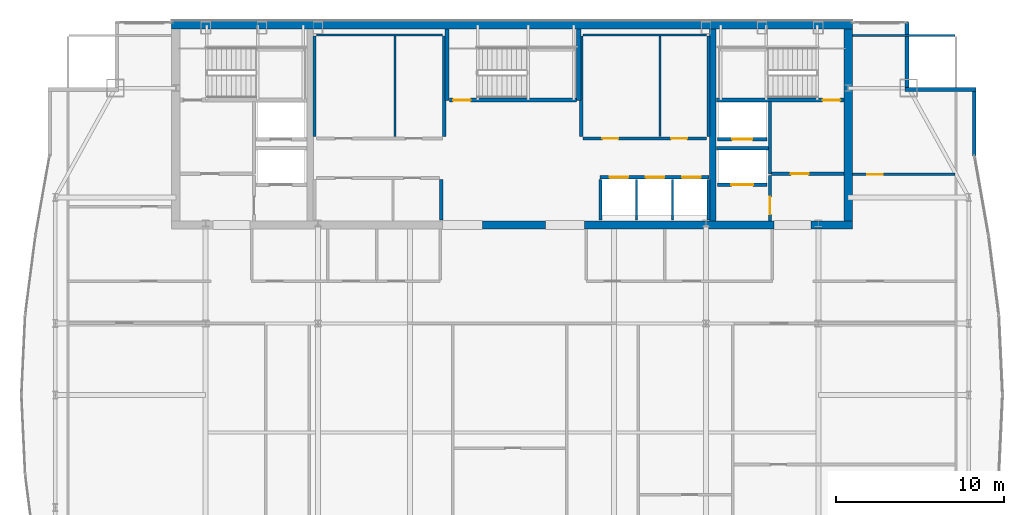
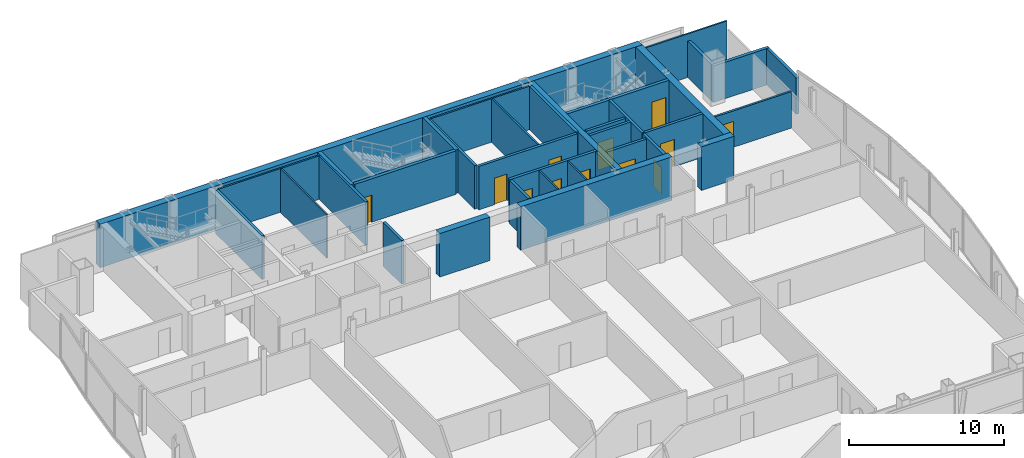
# One storey, part 27 of 30: 36 walls, 12 doors, 12 openings.
"""IFC4 building model written with IfcOpenShell, lengths in metres."""

from ifc_helpers import new_model, si_unit, direction, frame, frame_2d, origin, place, context, subcontext, project, spatial, rectangle, extrude, material, layer, layer_set, type_object, element, fill, save


model = new_model("IFC4")

# Units and contexts
model_context = context("Model", 3, precision=1e-05, world=origin(), true_north=direction((0.0, 1.0)))
body_context = subcontext(model_context, "Body", "Model", "MODEL_VIEW")
ifc_project = project(units=[si_unit("LENGTHUNIT", "METRE"), si_unit("AREAUNIT", "SQUARE_METRE"), si_unit("VOLUMEUNIT", "CUBIC_METRE"), si_unit("PLANEANGLEUNIT", "RADIAN"), si_unit("MASSUNIT", "GRAM", prefix="KILO")], contexts=[model_context])

# Site, building, storey
site_placement = place(None, origin())
site = spatial("IfcSite", under=ifc_project, at=site_placement, CompositionType="ELEMENT")
building_placement = place(site_placement, origin())
building = spatial("IfcBuilding", under=site, at=building_placement, Name="Khoronbel Lancet Exchange", CompositionType="ELEMENT")
storey_placement = place(building_placement, frame((0.0, 0.0, 277.0)))
storey = spatial("IfcBuildingStorey", under=building, at=storey_placement, Name="L71", CompositionType="ELEMENT", Elevation=277.0)

# Walls
ifc_material_1 = material(Name="Concrete C60/75", Category="concrete")
ifc_layer_1 = layer(ifc_material_1, 0.5, Name="Concrete C60/75")
ifc_layer_set_1 = layer_set([ifc_layer_1], Name="Concrete C60/75")
wall_type_1 = type_object("IfcWallType", Name="WL-CW4", PredefinedType="SHEAR", material=ifc_layer_set_1)
wall_1_placement = place(storey_placement, frame((16.199951171875, 53.449951171875, 0.0), z_axis=(0.0, 0.0, 1.0), x_axis=(1.0, 0.0, 0.0)))
element("IfcWall", 1, at=wall_1_placement, inside=storey, type_object=wall_type_1, Name="Level L71 rear core north shear wall", PredefinedType="SHEAR", context=body_context, shape_type="SweptSolid", body=[
    extrude(rectangle(XDim=40.5, YDim=0.5, at=frame_2d((20.25, 0.0))), origin(), (0.0, 0.0, 1.0), 3.43994140625),
])
wall_2_placement = place(storey_placement, frame((56.449951171875, 53.199951171875, 0.0), z_axis=(0.0, 0.0, 1.0), x_axis=(0.0, -1.0, 0.0)))
element("IfcWall", 2, at=wall_2_placement, inside=storey, type_object=wall_type_1, Name="Level L71 rear core east shear wall", PredefinedType="SHEAR", context=body_context, shape_type="SweptSolid", body=[
    extrude(rectangle(XDim=11.39990234375, YDim=0.5, at=frame_2d((5.699951171875, 0.0))), origin(), (0.0, 0.0, 1.0), 3.43994140625),
])
wall_3_placement = place(storey_placement, frame((38.449951171875, 41.550048828125, 0.0), z_axis=(0.0, 0.0, 1.0), x_axis=(-1.0, 0.0, 0.0)))
element("IfcWall", 3, at=wall_3_placement, inside=storey, type_object=wall_type_1, Name="Level L71 rear core south shear wall pier P3", PredefinedType="SHEAR", context=body_context, shape_type="SweptSolid", body=[
    extrude(rectangle(XDim=3.75, YDim=0.5, at=frame_2d((1.875, 0.0))), origin(), (0.0, 0.0, 1.0), 3.43994140625),
])
wall_4_placement = place(storey_placement, frame((52.050048828125, 41.550048828125, 0.0), z_axis=(0.0, 0.0, 1.0), x_axis=(-1.0, 0.0, 0.0)))
element("IfcWall", 4, at=wall_4_placement, inside=storey, type_object=wall_type_1, Name="Level L71 rear core south shear wall pier P4", PredefinedType="SHEAR", context=body_context, shape_type="SweptSolid", body=[
    extrude(rectangle(XDim=11.300048828125, YDim=0.5, at=frame_2d((5.64990234375, 0.0))), origin(), (0.0, 0.0, 1.0), 3.43994140625),
])
wall_5_placement = place(storey_placement, frame((56.699951171875, 41.550048828125, 0.0), z_axis=(0.0, 0.0, 1.0), x_axis=(-1.0, 0.0, 0.0)))
element("IfcWall", 5, at=wall_5_placement, inside=storey, type_object=wall_type_1, Name="Level L71 rear core south shear wall pier P5", PredefinedType="SHEAR", context=body_context, shape_type="SweptSolid", body=[
    extrude(rectangle(XDim=2.449951171875, YDim=0.5, at=frame_2d((1.22509765625, 0.0))), origin(), (0.0, 0.0, 1.0), 3.43994140625),
])
ifc_material_2 = material(Name="Precast concrete C40/50", Category="concrete")
ifc_layer_2 = layer(ifc_material_2, 0.25, Name="Precast concrete C40/50")
ifc_layer_set_2 = layer_set([ifc_layer_2], Name="Precast concrete C40/50")
wall_type_2 = type_object("IfcWallType", Name="WL-EXT250", PredefinedType="SOLIDWALL", material=ifc_layer_set_2)
wall_6_placement = place(storey_placement, frame((59.9599609375, 53.6298828125, 0.0), z_axis=(0.0, 0.0, 1.0), x_axis=(0.0, -1.0, 0.0)))
element("IfcWall", 6, at=wall_6_placement, inside=storey, type_object=wall_type_2, Name="Level L71 notched-corner limestone pier 14", PredefinedType="SOLIDWALL", context=body_context, shape_type="SweptSolid", body=[
    extrude(rectangle(XDim=3.909912109375, YDim=0.219970703125, at=frame_2d((1.955078125, 0.0))), origin(), (0.0, 0.0, 1.0), 2.8798828125),
])
wall_7_placement = place(storey_placement, frame((59.85009765625, 49.610107421875, 0.0), z_axis=(0.0, 0.0, 1.0), x_axis=(1.0, 0.0, 0.0)))
element("IfcWall", 7, at=wall_7_placement, inside=storey, type_object=wall_type_2, Name="Level L71 notched-corner limestone pier 15", PredefinedType="SOLIDWALL", context=body_context, shape_type="SweptSolid", body=[
    extrude(rectangle(XDim=4.219970703125, YDim=0.219970703125, at=frame_2d((2.10986328125, 0.0))), origin(), (0.0, 0.0, 1.0), 2.8798828125),
])
wall_8_placement = place(storey_placement, frame((63.9599609375, 49.5, 0.0), z_axis=(0.0, 0.0, 1.0), x_axis=(0.0, -1.0, 0.0)))
element("IfcWall", 8, at=wall_8_placement, inside=storey, type_object=wall_type_2, Name="Level L71 notched-corner limestone pier 16", PredefinedType="SOLIDWALL", context=body_context, shape_type="SweptSolid", body=[
    extrude(rectangle(XDim=3.827880859375, YDim=0.219970703125, at=frame_2d((1.9140625, 0.0))), origin(), (0.0, 0.0, 1.0), 2.8798828125),
])

# Wall, opening, door
ifc_material_3 = material(Name="Acoustic Metal-Stud & Mineral-Wool Gypsum Partition 120 mm", Category="gypsum")
ifc_layer_3 = layer(ifc_material_3, 0.1201171875, Name="Acoustic Metal-Stud & Mineral-Wool Gypsum Partition 120 mm")
ifc_layer_set_3 = layer_set([ifc_layer_3], Name="Acoustic Metal-Stud & Mineral-Wool Gypsum Partition 120 mm")
wall_type_3 = type_object("IfcWallType", Name="WL-PRT120", PredefinedType="PARTITIONING", material=ifc_layer_set_3)
wall_9_placement = place(storey_placement, frame((56.699951171875, 44.56005859375, 0.0), z_axis=(0.0, 0.0, 1.0), x_axis=(1.0, 0.0, 0.0)))
wall_9 = element("IfcWall", 9, at=wall_9_placement, inside=storey, type_object=wall_type_3, Name="Level L71 interior partition PW-NE-H", PredefinedType="PARTITIONING", context=body_context, shape_type="SweptSolid", body=[
    extrude(rectangle(XDim=6.10498046875, YDim=0.14990234375, at=frame_2d((3.052490234375, 0.0))), origin(), (0.0, 0.0, 1.0), 2.8798828125),
])
opening_1_placement = place(wall_9_placement, frame((0.89990234375, 0.0, 0.0)))
opening_1 = element("IfcOpeningElement", 10, at=opening_1_placement, cuts=wall_9, Name="Opening D5", PredefinedType="OPENING", context=body_context, shape_type="SweptSolid", body=[
    extrude(rectangle(XDim=0.89990234375, YDim=2.050048828125, at=frame_2d((0.449951171875, 1.02490234375))), frame((0.0, 0.0849609375, 0.0), z_axis=(0.0, -1.0, 0.0), x_axis=(1.0, 0.0, 0.0)), (0.0, 0.0, 1.0), 0.169921875),
])
ifc_material_4 = material(Name="Acoustic Timber Pantry & Support Door", Category="wood")
door_type_1 = type_object("IfcDoorType", Name="DR-D5", OperationType="NOTDEFINED", PredefinedType="DOOR", material=ifc_material_4)
door_1_placement = place(opening_1_placement, origin())
door_1 = element("IfcDoor", 11, at=door_1_placement, inside=storey, type_object=door_type_1, Name="NE north room door L71-1", OperationType="SINGLE_SWING_RIGHT", OverallHeight=2.050048828125, OverallWidth=0.89990234375, PredefinedType="DOOR", context=body_context, shape_type="SweptSolid", body=[
    extrude(rectangle(XDim=0.89990234375, YDim=2.050048828125, at=frame_2d((0.449951171875, 1.02490234375))), frame((0.0, 0.02490234375, 0.0), z_axis=(0.0, -1.0, 0.0), x_axis=(1.0, 0.0, 0.0)), (0.0, 0.0, 1.0), 0.050048828125),
])
fill(opening_1, door_1)

# Walls
wall_10_placement = place(storey_placement, frame((56.699951171875, 52.840087890625, 0.0), z_axis=(0.0, 0.0, 1.0), x_axis=(1.0, 0.0, 0.0)))
element("IfcWall", 12, at=wall_10_placement, inside=storey, type_object=wall_type_3, Name="Level L71 interior partition PW-LIN-NE", PredefinedType="PARTITIONING", context=body_context, shape_type="SweptSolid", body=[
    extrude(rectangle(XDim=6.10498046875, YDim=0.1201171875, at=frame_2d((3.052490234375, 0.0))), origin(), (0.0, 0.0, 1.0), 3.43994140625),
])
ifc_material_5 = material(Name="Fire-Rated Metal-Stud & Mineral-Wool Gypsum Partition 120 mm", Category="gypsum")
ifc_layer_4 = layer(ifc_material_5, 0.1201171875, Name="Fire-Rated Metal-Stud & Mineral-Wool Gypsum Partition 120 mm")
ifc_layer_set_4 = layer_set([ifc_layer_4], Name="Fire-Rated Metal-Stud & Mineral-Wool Gypsum Partition 120 mm")
wall_type_4 = type_object("IfcWallType", Name="WL-PRT120F", PredefinedType="PARTITIONING", material=ifc_layer_set_4)
wall_11_placement = place(storey_placement, frame((24.804931640625, 52.860107421875, 0.0), z_axis=(0.0, 0.0, 1.0), x_axis=(1.0, 0.0, 0.0)))
element("IfcWall", 13, at=wall_11_placement, inside=storey, type_object=wall_type_4, Name="Level L71 interior partition CW-PL-RN", PredefinedType="PARTITIONING", context=body_context, shape_type="SweptSolid", body=[
    extrude(rectangle(XDim=7.510009765625, YDim=0.1201171875, at=frame_2d((3.7548828125, 0.0))), origin(), (0.0, 0.0, 1.0), 3.43994140625),
])
wall_12_placement = place(storey_placement, frame((29.486328125, 46.804931640625, 0.0), z_axis=(0.0, 0.0, 1.0), x_axis=(0.0, 1.0, 0.0)))
element("IfcWall", 14, at=wall_12_placement, inside=storey, type_object=wall_type_4, Name="Level L71 interior partition CW-PL-RS2", PredefinedType="PARTITIONING", context=body_context, shape_type="SweptSolid", body=[
    extrude(rectangle(XDim=5.989990234375, YDim=0.1201171875, at=frame_2d((2.9951171875, 0.0))), origin(), (0.0, 0.0, 1.0), 3.43994140625),
])
wall_13_placement = place(storey_placement, frame((40.68505859375, 52.860107421875, 0.0), z_axis=(0.0, 0.0, 1.0), x_axis=(1.0, 0.0, 0.0)))
element("IfcWall", 15, at=wall_13_placement, inside=storey, type_object=wall_type_4, Name="Level L71 interior partition CW-PH-RN", PredefinedType="PARTITIONING", context=body_context, shape_type="SweptSolid", body=[
    extrude(rectangle(XDim=7.349853515625, YDim=0.1201171875, at=frame_2d((3.6748046875, 0.0))), origin(), (0.0, 0.0, 1.0), 3.43994140625),
])
wall_14_placement = place(storey_placement, frame((45.26708984375, 46.804931640625, 0.0), z_axis=(0.0, 0.0, 1.0), x_axis=(0.0, 1.0, 0.0)))
element("IfcWall", 16, at=wall_14_placement, inside=storey, type_object=wall_type_4, Name="Level L71 interior partition CW-PH-RS2", PredefinedType="PARTITIONING", context=body_context, shape_type="SweptSolid", body=[
    extrude(rectangle(XDim=5.989990234375, YDim=0.1201171875, at=frame_2d((2.9951171875, 0.0))), origin(), (0.0, 0.0, 1.0), 3.43994140625),
])
for number, where, z_axis, x_axis, name in (
    (17, (43.860107421875, 41.85009765625, 0.0), (0.0, 0.0, 1.0), (0.0, 1.0, 0.0), "Level L71 interior partition CW-PX-D1"),
    (18, (46.0, 41.85009765625, 0.0), (0.0, 0.0, 1.0), (0.0, 1.0, 0.0), "Level L71 interior partition CW-PX-D2"),
):
    element("IfcWall", number, at=place(storey_placement, frame(where, z_axis=z_axis, x_axis=x_axis)), inside=storey, type_object=wall_type_4, Name=name, PredefinedType="PARTITIONING", context=body_context, shape_type="SweptSolid", body=[
        extrude(rectangle(XDim=2.39990234375, YDim=0.1201171875, at=frame_2d((1.199951171875, 0.0))), origin(), (0.0, 0.0, 1.0), 3.43994140625),
    ])

# Wall, openings, doors
ifc_material_6 = material(Name="Autoclaved Aerated Concrete Blockwork 200 mm", Category="masonry")
ifc_layer_5 = layer(ifc_material_6, 0.199951171875, Name="Autoclaved Aerated Concrete Blockwork 200 mm")
ifc_layer_set_5 = layer_set([ifc_layer_5], Name="Autoclaved Aerated Concrete Blockwork 200 mm")
wall_type_5 = type_object("IfcWallType", Name="WL-PRT200", PredefinedType="PARTITIONING", material=ifc_layer_set_5)
wall_15_placement = place(storey_placement, frame((41.679931640625, 44.39990234375, 0.0), z_axis=(0.0, 0.0, 1.0), x_axis=(1.0, 0.0, 0.0)))
wall_15 = element("IfcWall", 19, at=wall_15_placement, inside=storey, type_object=wall_type_5, Name="Level L71 elevator hoistway landing front wall PXE", PredefinedType="PARTITIONING", context=body_context, shape_type="SweptSolid", body=[
    extrude(rectangle(XDim=6.47998046875, YDim=0.199951171875, at=frame_2d((3.239990234375, 0.0))), origin(), (0.0, 0.0, 1.0), 3.43994140625),
])
opening_2_placement = place(wall_15_placement, frame((0.580078125, 0.0, 0.0)))
opening_2 = element("IfcOpeningElement", 20, at=opening_2_placement, cuts=wall_15, Name="Opening LD-PX1", PredefinedType="OPENING", context=body_context, shape_type="SweptSolid", body=[
    extrude(rectangle(XDim=1.10009765625, YDim=2.179931640625, at=frame_2d((0.550048828125, 1.08984375))), frame((0.0, 0.10986328125, 0.0), z_axis=(0.0, -1.0, 0.0), x_axis=(1.0, 0.0, 0.0)), (0.0, 0.0, 1.0), 0.219970703125),
])
opening_3_placement = place(wall_15_placement, frame((2.739990234375, 0.0, 0.0)))
opening_3 = element("IfcOpeningElement", 21, at=opening_3_placement, cuts=wall_15, Name="Opening LD-PX2", PredefinedType="OPENING", context=body_context, shape_type="SweptSolid", body=[
    extrude(rectangle(XDim=1.10009765625, YDim=2.179931640625, at=frame_2d((0.550048828125, 1.08984375))), frame((0.0, 0.10986328125, 0.0), z_axis=(0.0, -1.0, 0.0), x_axis=(1.0, 0.0, 0.0)), (0.0, 0.0, 1.0), 0.219970703125),
])
opening_4_placement = place(wall_15_placement, frame((4.89990234375, 0.0, 0.0)))
opening_4 = element("IfcOpeningElement", 22, at=opening_4_placement, cuts=wall_15, Name="Opening LD-PX3", PredefinedType="OPENING", context=body_context, shape_type="SweptSolid", body=[
    extrude(rectangle(XDim=1.10009765625, YDim=2.179931640625, at=frame_2d((0.550048828125, 1.08984375))), frame((0.0, 0.10986328125, 0.0), z_axis=(0.0, -1.0, 0.0), x_axis=(1.0, 0.0, 0.0)), (0.0, 0.0, 1.0), 0.219970703125),
])
ifc_material_7 = material(Name="Brushed Bronze Bi-Parting Elevator Landing Door", Category="steel")
door_type_2 = type_object("IfcDoorType", Name="DR-LD-PAX", OperationType="NOTDEFINED", PredefinedType="DOOR", material=ifc_material_7)
door_2_placement = place(opening_2_placement, origin())
door_2 = element("IfcDoor", 23, at=door_2_placement, inside=storey, type_object=door_type_2, Name="Elevator landing sliding door LD-PX1 L71", OperationType="SLIDING_TO_LEFT", OverallHeight=2.179931640625, OverallWidth=1.10009765625, PredefinedType="DOOR", context=body_context, shape_type="SweptSolid", body=[
    extrude(rectangle(XDim=1.10009765625, YDim=2.179931640625, at=frame_2d((0.550048828125, 1.08984375))), frame((0.0, 0.02490234375, 0.0), z_axis=(0.0, -1.0, 0.0), x_axis=(1.0, 0.0, 0.0)), (0.0, 0.0, 1.0), 0.050048828125),
])
fill(opening_2, door_2)
door_3_placement = place(opening_3_placement, origin())
door_3 = element("IfcDoor", 24, at=door_3_placement, inside=storey, type_object=door_type_2, Name="Elevator landing sliding door LD-PX2 L71", OperationType="SLIDING_TO_LEFT", OverallHeight=2.179931640625, OverallWidth=1.10009765625, PredefinedType="DOOR", context=body_context, shape_type="SweptSolid", body=[
    extrude(rectangle(XDim=1.10009765625, YDim=2.179931640625, at=frame_2d((0.550048828125, 1.08984375))), frame((0.0, 0.02490234375, 0.0), z_axis=(0.0, -1.0, 0.0), x_axis=(1.0, 0.0, 0.0)), (0.0, 0.0, 1.0), 0.050048828125),
])
fill(opening_3, door_3)
door_4_placement = place(opening_4_placement, origin())
door_4 = element("IfcDoor", 25, at=door_4_placement, inside=storey, type_object=door_type_2, Name="Elevator landing sliding door LD-PX3 L71", OperationType="SLIDING_TO_LEFT", OverallHeight=2.179931640625, OverallWidth=1.10009765625, PredefinedType="DOOR", context=body_context, shape_type="SweptSolid", body=[
    extrude(rectangle(XDim=1.10009765625, YDim=2.179931640625, at=frame_2d((0.550048828125, 1.08984375))), frame((0.0, 0.02490234375, 0.0), z_axis=(0.0, -1.0, 0.0), x_axis=(1.0, 0.0, 0.0)), (0.0, 0.0, 1.0), 0.050048828125),
])
fill(opening_4, door_4)

# Wall, opening, door
wall_16_placement = place(storey_placement, frame((51.610107421875, 43.949951171875, 0.0), z_axis=(0.0, 0.0, 1.0), x_axis=(-1.0, 0.0, 0.0)))
wall_16 = element("IfcWall", 26, at=wall_16_placement, inside=storey, type_object=wall_type_5, Name="Level L71 elevator hoistway landing front wall SVLE", PredefinedType="PARTITIONING", context=body_context, shape_type="SweptSolid", body=[
    extrude(rectangle(XDim=2.920166015625, YDim=0.199951171875, at=frame_2d((1.4599609375, 0.0))), origin(), (0.0, 0.0, 1.0), 3.43994140625),
])
opening_5_placement = place(wall_16_placement, frame((0.81005859375, 0.0, 0.0)))
opening_5 = element("IfcOpeningElement", 27, at=opening_5_placement, cuts=wall_16, Name="Opening LD-SVL2", PredefinedType="OPENING", context=body_context, shape_type="SweptSolid", body=[
    extrude(rectangle(XDim=1.300048828125, YDim=2.179931640625, at=frame_2d((0.64990234375, 1.08984375))), frame((0.0, 0.10986328125, 0.0), z_axis=(0.0, -1.0, 0.0), x_axis=(1.0, 0.0, 0.0)), (0.0, 0.0, 1.0), 0.219970703125),
])
ifc_material_8 = material(Name="Heavy-Duty Bi-Parting Goods Lift Landing Door", Category="steel")
door_type_3 = type_object("IfcDoorType", Name="DR-LD-SVL", OperationType="NOTDEFINED", PredefinedType="DOOR", material=ifc_material_8)
door_5_placement = place(opening_5_placement, origin())
door_5 = element("IfcDoor", 28, at=door_5_placement, inside=storey, type_object=door_type_3, Name="Elevator landing sliding door LD-SVL2 L71", OperationType="SLIDING_TO_LEFT", OverallHeight=2.179931640625, OverallWidth=1.300048828125, PredefinedType="DOOR", context=body_context, shape_type="SweptSolid", body=[
    extrude(rectangle(XDim=1.300048828125, YDim=2.179931640625, at=frame_2d((0.64990234375, 1.08984375))), frame((0.0, 0.02490234375, 0.0), z_axis=(0.0, -1.0, 0.0), x_axis=(1.0, 0.0, 0.0)), (0.0, 0.0, 1.0), 0.050048828125),
])
fill(opening_5, door_5)

wall_17_placement = place(storey_placement, frame((51.610107421875, 46.64990234375, 0.0), z_axis=(0.0, 0.0, 1.0), x_axis=(-1.0, 0.0, 0.0)))
wall_17 = element("IfcWall", 29, at=wall_17_placement, inside=storey, type_object=wall_type_5, Name="Level L71 elevator hoistway landing front wall FFLE", PredefinedType="PARTITIONING", context=body_context, shape_type="SweptSolid", body=[
    extrude(rectangle(XDim=2.920166015625, YDim=0.199951171875, at=frame_2d((1.4599609375, 0.0))), origin(), (0.0, 0.0, 1.0), 3.43994140625),
])
opening_6_placement = place(wall_17_placement, frame((0.860107421875, 0.0, 0.0)))
opening_6 = element("IfcOpeningElement", 30, at=opening_6_placement, cuts=wall_17, Name="Opening LD-FFL2", PredefinedType="OPENING", context=body_context, shape_type="SweptSolid", body=[
    extrude(rectangle(XDim=1.199951171875, YDim=2.179931640625, at=frame_2d((0.60009765625, 1.08984375))), frame((0.0, 0.10986328125, 0.0), z_axis=(0.0, -1.0, 0.0), x_axis=(1.0, 0.0, 0.0)), (0.0, 0.0, 1.0), 0.219970703125),
])
ifc_material_9 = material(Name="Fire-Rated Stainless Bi-Parting Firefighting Lift Door", Category="steel")
door_type_4 = type_object("IfcDoorType", Name="DR-LD-FFL", OperationType="NOTDEFINED", PredefinedType="DOOR", material=ifc_material_9)
door_6_placement = place(opening_6_placement, origin())
door_6 = element("IfcDoor", 31, at=door_6_placement, inside=storey, type_object=door_type_4, Name="Elevator landing sliding door LD-FFL2 L71", OperationType="SLIDING_TO_LEFT", OverallHeight=2.179931640625, OverallWidth=1.199951171875, PredefinedType="DOOR", context=body_context, shape_type="SweptSolid", body=[
    extrude(rectangle(XDim=1.199951171875, YDim=2.179931640625, at=frame_2d((0.60009765625, 1.08984375))), frame((0.0, 0.02490234375, 0.0), z_axis=(0.0, -1.0, 0.0), x_axis=(1.0, 0.0, 0.0)), (0.0, 0.0, 1.0), 0.050048828125),
])
fill(opening_6, door_6)

# Wall
wall_18_placement = place(storey_placement, frame((51.800048828125, 44.60009765625, 0.0), z_axis=(0.0, 0.0, 1.0), x_axis=(0.0, 1.0, 0.0)))
element("IfcWall", 32, at=wall_18_placement, inside=storey, type_object=wall_type_5, Name="Level L71 interior partition CW-FFLE-W", PredefinedType="PARTITIONING", context=body_context, shape_type="SweptSolid", body=[
    extrude(rectangle(XDim=4.2998046875, YDim=0.199951171875, at=frame_2d((2.14990234375, 0.0))), origin(), (0.0, 0.0, 1.0), 3.43994140625),
])

# Wall, opening, door
wall_19_placement = place(storey_placement, frame((51.89990234375, 44.60009765625, 0.0), z_axis=(0.0, 0.0, 1.0), x_axis=(1.0, 0.0, 0.0)))
wall_19 = element("IfcWall", 33, at=wall_19_placement, inside=storey, type_object=wall_type_5, Name="Level L71 interior partition CW-FFLE-S", PredefinedType="PARTITIONING", context=body_context, shape_type="SweptSolid", body=[
    extrude(rectangle(XDim=4.300048828125, YDim=0.199951171875, at=frame_2d((2.14990234375, 0.0))), origin(), (0.0, 0.0, 1.0), 3.43994140625),
])
opening_7_placement = place(wall_19_placement, frame((1.14990234375, 0.0, 0.0)))
opening_7 = element("IfcOpeningElement", 34, at=opening_7_placement, cuts=wall_19, Name="Opening FD1", PredefinedType="OPENING", context=body_context, shape_type="SweptSolid", body=[
    extrude(rectangle(XDim=1.050048828125, YDim=2.14990234375, at=frame_2d((0.52490234375, 1.074951171875))), frame((0.0, 0.10986328125, 0.0), z_axis=(0.0, -1.0, 0.0), x_axis=(1.0, 0.0, 0.0)), (0.0, 0.0, 1.0), 0.219970703125),
])
ifc_material_10 = material(Name="Fire-Rated Painted Steel Door Assembly", Category="steel")
door_type_5 = type_object("IfcDoorType", Name="DR-FD1", OperationType="NOTDEFINED", PredefinedType="DOOR", material=ifc_material_10)
door_7_placement = place(opening_7_placement, origin())
door_7 = element("IfcDoor", 35, at=door_7_placement, inside=storey, type_object=door_type_5, Name="East firefighting lobby FD90S door L71-1", OperationType="SINGLE_SWING_RIGHT", OverallHeight=2.14990234375, OverallWidth=1.050048828125, PredefinedType="DOOR", context=body_context, shape_type="SweptSolid", body=[
    extrude(rectangle(XDim=1.050048828125, YDim=2.14990234375, at=frame_2d((0.52490234375, 1.074951171875))), frame((0.0, 0.02490234375, 0.0), z_axis=(0.0, -1.0, 0.0), x_axis=(1.0, 0.0, 0.0)), (0.0, 0.0, 1.0), 0.050048828125),
])
fill(opening_7, door_7)

# Wall
wall_20_placement = place(storey_placement, frame((48.6298828125, 46.1201171875, 0.0), z_axis=(0.0, 0.0, 1.0), x_axis=(1.0, 0.0, 0.0)))
element("IfcWall", 36, at=wall_20_placement, inside=storey, type_object=wall_type_5, Name="Level L71 interior partition CW-FFL2-S", PredefinedType="PARTITIONING", context=body_context, shape_type="SweptSolid", body=[
    extrude(rectangle(XDim=3.070068359375, YDim=0.199951171875, at=frame_2d((1.53515625, 0.0))), origin(), (0.0, 0.0, 1.0), 3.43994140625),
])

# Wall, opening, door
wall_21_placement = place(storey_placement, frame((51.800048828125, 41.800048828125, 0.0), z_axis=(0.0, 0.0, 1.0), x_axis=(0.0, 1.0, 0.0)))
wall_21 = element("IfcWall", 37, at=wall_21_placement, inside=storey, type_object=wall_type_5, Name="Level L71 interior partition CW-SVLE-E", PredefinedType="PARTITIONING", context=body_context, shape_type="SweptSolid", body=[
    extrude(rectangle(XDim=2.695068359375, YDim=0.199951171875, at=frame_2d((1.34765625, 0.0))), origin(), (0.0, 0.0, 1.0), 3.43994140625),
])
opening_8_placement = place(wall_21_placement, frame((0.3798828125, 0.0, 0.0)))
opening_8 = element("IfcOpeningElement", 38, at=opening_8_placement, cuts=wall_21, Name="Opening FD1", PredefinedType="OPENING", context=body_context, shape_type="SweptSolid", body=[
    extrude(rectangle(XDim=1.050048828125, YDim=2.14990234375, at=frame_2d((0.52490234375, 1.074951171875))), frame((0.0, 0.10986328125, 0.0), z_axis=(0.0, -1.0, 0.0), x_axis=(1.0, 0.0, 0.0)), (0.0, 0.0, 1.0), 0.219970703125),
])
door_8_placement = place(opening_8_placement, origin())
door_8 = element("IfcDoor", 39, at=door_8_placement, inside=storey, type_object=door_type_5, Name="East service lift lobby door L71-1", OperationType="SINGLE_SWING_LEFT", OverallHeight=2.14990234375, OverallWidth=1.050048828125, PredefinedType="DOOR", context=body_context, shape_type="SweptSolid", body=[
    extrude(rectangle(XDim=1.050048828125, YDim=2.14990234375, at=frame_2d((0.52490234375, 1.074951171875))), frame((0.0, 0.02490234375, 0.0), z_axis=(0.0, -1.0, 0.0), x_axis=(1.0, 0.0, 0.0)), (0.0, 0.0, 1.0), 0.050048828125),
])
fill(opening_8, door_8)

# Walls
for number, where, z_axis, x_axis, name in (
    (40, (24.699951171875, 46.804931640625, 0.0), (0.0, 0.0, 1.0), (0.0, 1.0, 0.0), "Level L71 interior partition CW-PL-RW"),
    (41, (32.419921875, 46.804931640625, 0.0), (0.0, 0.0, 1.0), (0.0, 1.0, 0.0), "Level L71 interior partition CW-PL-RE"),
):
    element("IfcWall", number, at=place(storey_placement, frame(where, z_axis=z_axis, x_axis=x_axis)), inside=storey, type_object=wall_type_5, Name=name, PredefinedType="PARTITIONING", context=body_context, shape_type="SweptSolid", body=[
        extrude(rectangle(XDim=5.989990234375, YDim=0.199951171875, at=frame_2d((2.9951171875, 0.0))), origin(), (0.0, 0.0, 1.0), 3.43994140625),
    ])
wall_22_placement = place(storey_placement, frame((32.25, 41.85009765625, 0.0), z_axis=(0.0, 0.0, 1.0), x_axis=(0.0, 1.0, 0.0)))
element("IfcWall", 42, at=wall_22_placement, inside=storey, type_object=wall_type_5, Name="Level L71 interior partition CW-PM-RE", PredefinedType="PARTITIONING", context=body_context, shape_type="SweptSolid", body=[
    extrude(rectangle(XDim=2.39501953125, YDim=0.199951171875, at=frame_2d((1.197509765625, 0.0))), origin(), (0.0, 0.0, 1.0), 3.43994140625),
])
for number, where, z_axis, x_axis, name in (
    (43, (40.580078125, 46.804931640625, 0.0), (0.0, 0.0, 1.0), (0.0, 1.0, 0.0), "Level L71 interior partition CW-PH-RW"),
    (44, (48.139892578125, 46.804931640625, 0.0), (0.0, 0.0, 1.0), (0.0, 1.0, 0.0), "Level L71 interior partition CW-PH-RE"),
):
    element("IfcWall", number, at=place(storey_placement, frame(where, z_axis=z_axis, x_axis=x_axis)), inside=storey, type_object=wall_type_5, Name=name, PredefinedType="PARTITIONING", context=body_context, shape_type="SweptSolid", body=[
        extrude(rectangle(XDim=5.989990234375, YDim=0.199951171875, at=frame_2d((2.9951171875, 0.0))), origin(), (0.0, 0.0, 1.0), 3.43994140625),
    ])

# Wall, openings, doors
wall_23_placement = place(storey_placement, frame((40.68505859375, 46.699951171875, 0.0), z_axis=(0.0, 0.0, 1.0), x_axis=(1.0, 0.0, 0.0)))
wall_23 = element("IfcWall", 45, at=wall_23_placement, inside=storey, type_object=wall_type_5, Name="Level L71 interior partition CW-PH-RF", PredefinedType="PARTITIONING", context=body_context, shape_type="SweptSolid", body=[
    extrude(rectangle(XDim=7.349853515625, YDim=0.199951171875, at=frame_2d((3.6748046875, 0.0))), origin(), (0.0, 0.0, 1.0), 3.43994140625),
])
opening_9_placement = place(wall_23_placement, frame((1.14990234375, 0.0, 0.0)))
opening_9 = element("IfcOpeningElement", 46, at=opening_9_placement, cuts=wall_23, Name="Opening FD3", PredefinedType="OPENING", context=body_context, shape_type="SweptSolid", body=[
    extrude(rectangle(XDim=0.949951171875, YDim=2.10009765625, at=frame_2d((0.47509765625, 1.050048828125))), frame((0.0, 0.10986328125, 0.0), z_axis=(0.0, -1.0, 0.0), x_axis=(1.0, 0.0, 0.0)), (0.0, 0.0, 1.0), 0.219970703125),
])
opening_10_placement = place(wall_23_placement, frame((5.2373046875, 0.0, 0.0)))
opening_10 = element("IfcOpeningElement", 47, at=opening_10_placement, cuts=wall_23, Name="Opening FD3", PredefinedType="OPENING", context=body_context, shape_type="SweptSolid", body=[
    extrude(rectangle(XDim=0.949951171875, YDim=2.10009765625, at=frame_2d((0.47509765625, 1.050048828125))), frame((0.0, 0.10986328125, 0.0), z_axis=(0.0, -1.0, 0.0), x_axis=(1.0, 0.0, 0.0)), (0.0, 0.0, 1.0), 0.219970703125),
])
ifc_material_11 = material(Name="Fire-Rated Steel Plant & Riser Door Assembly", Category="steel")
door_type_6 = type_object("IfcDoorType", Name="DR-FD3", OperationType="NOTDEFINED", PredefinedType="DOOR", material=ifc_material_11)
door_9_placement = place(opening_9_placement, origin())
door_9 = element("IfcDoor", 48, at=door_9_placement, inside=storey, type_object=door_type_6, Name="Reclaimed PH C door L71-1", OperationType="SINGLE_SWING_RIGHT", OverallHeight=2.10009765625, OverallWidth=0.949951171875, PredefinedType="DOOR", context=body_context, shape_type="SweptSolid", body=[
    extrude(rectangle(XDim=0.949951171875, YDim=2.10009765625, at=frame_2d((0.47509765625, 1.050048828125))), frame((0.0, 0.02490234375, 0.0), z_axis=(0.0, -1.0, 0.0), x_axis=(1.0, 0.0, 0.0)), (0.0, 0.0, 1.0), 0.050048828125),
])
fill(opening_9, door_9)
door_10_placement = place(opening_10_placement, origin())
door_10 = element("IfcDoor", 49, at=door_10_placement, inside=storey, type_object=door_type_6, Name="Reclaimed PH D door L71-2", OperationType="SINGLE_SWING_LEFT", OverallHeight=2.10009765625, OverallWidth=0.949951171875, PredefinedType="DOOR", context=body_context, shape_type="SweptSolid", body=[
    extrude(rectangle(XDim=0.949951171875, YDim=2.10009765625, at=frame_2d((0.47509765625, 1.050048828125))), frame((0.0, 0.02490234375, 0.0), z_axis=(0.0, -1.0, 0.0), x_axis=(1.0, 0.0, 0.0)), (0.0, 0.0, 1.0), 0.050048828125),
])
fill(opening_10, door_10)

# Walls
for number, where, z_axis, x_axis, name in (
    (50, (41.719970703125, 41.85009765625, 0.0), (0.0, 0.0, 1.0), (0.0, 1.0, 0.0), "Level L71 interior partition CW-PX-W"),
    (51, (48.139892578125, 41.85009765625, 0.0), (0.0, 0.0, 1.0), (0.0, 1.0, 0.0), "Level L71 interior partition CW-PX-E"),
):
    element("IfcWall", number, at=place(storey_placement, frame(where, z_axis=z_axis, x_axis=x_axis)), inside=storey, type_object=wall_type_5, Name=name, PredefinedType="PARTITIONING", context=body_context, shape_type="SweptSolid", body=[
        extrude(rectangle(XDim=2.39990234375, YDim=0.199951171875, at=frame_2d((1.199951171875, 0.0))), origin(), (0.0, 0.0, 1.0), 3.43994140625),
    ])
ifc_layer_6 = layer(ifc_material_1, 0.39990234375, Name="Concrete C60/75")
ifc_layer_set_6 = layer_set([ifc_layer_6], Name="Concrete C60/75")
wall_type_6 = type_object("IfcWallType", Name="WL-SW2", PredefinedType="SHEAR", material=ifc_layer_set_6)
wall_24_placement = place(storey_placement, frame((48.39990234375, 41.800048828125, 0.0), z_axis=(0.0, 0.0, 1.0), x_axis=(0.0, 1.0, 0.0)))
element("IfcWall", 52, at=wall_24_placement, inside=storey, type_object=wall_type_6, Name="Level L71 rear core internal spine shear wall IE", PredefinedType="SHEAR", context=body_context, shape_type="SweptSolid", body=[
    extrude(rectangle(XDim=11.39990234375, YDim=0.39990234375, at=frame_2d((5.699951171875, 0.0))), origin(), (0.0, 0.0, 1.0), 3.43994140625),
])
ifc_layer_7 = layer(ifc_material_1, 0.260009765625, Name="Concrete C60/75")
ifc_layer_set_7 = layer_set([ifc_layer_7], Name="Concrete C60/75")
wall_type_7 = type_object("IfcWallType", Name="WL-SW3", PredefinedType="SHEAR", material=ifc_layer_set_7)
for number, where, z_axis, x_axis, name in (
    (53, (32.580078125, 48.949951171875, 0.0), (0.0, 0.0, 1.0), (0.0, 1.0, 0.0), "Level L71 central stairwell structural shear wall ST3W"),
    (54, (40.419921875, 48.949951171875, 0.0), (0.0, 0.0, 1.0), (0.0, 1.0, 0.0), "Level L71 central stairwell structural shear wall ST3E"),
):
    element("IfcWall", number, at=place(storey_placement, frame(where, z_axis=z_axis, x_axis=x_axis)), inside=storey, type_object=wall_type_7, Name=name, PredefinedType="SHEAR", context=body_context, shape_type="SweptSolid", body=[
        extrude(rectangle(XDim=4.25, YDim=0.260009765625, at=frame_2d((2.125, 0.0))), origin(), (0.0, 0.0, 1.0), 3.43994140625),
    ])

# Wall, opening, door
wall_25_placement = place(storey_placement, frame((48.6298828125, 48.97998046875, 0.0), z_axis=(0.0, 0.0, 1.0), x_axis=(1.0, 0.0, 0.0)))
wall_25 = element("IfcWall", 55, at=wall_25_placement, inside=storey, type_object=wall_type_7, Name="Level L71 east stairwell structural south wall", PredefinedType="SHEAR", context=body_context, shape_type="SweptSolid", body=[
    extrude(rectangle(XDim=7.570068359375, YDim=0.239990234375, at=frame_2d((3.78515625, 0.0))), origin(), (0.0, 0.0, 1.0), 3.43994140625),
])
opening_11_placement = place(wall_25_placement, frame((6.300048828125, 0.0, 0.0)))
opening_11 = element("IfcOpeningElement", 56, at=opening_11_placement, cuts=wall_25, Name="Opening SD1", PredefinedType="OPENING", context=body_context, shape_type="SweptSolid", body=[
    extrude(rectangle(XDim=1.050048828125, YDim=2.14990234375, at=frame_2d((0.52490234375, 1.074951171875))), frame((0.0, 0.1298828125, 0.0), z_axis=(0.0, -1.0, 0.0), x_axis=(1.0, 0.0, 0.0)), (0.0, 0.0, 1.0), 0.260009765625),
])
ifc_material_12 = material(Name="Fire-Rated Steel Stairwell Door Assembly", Category="steel")
door_type_7 = type_object("IfcDoorType", Name="DR-SD1", OperationType="NOTDEFINED", PredefinedType="DOOR", material=ifc_material_12)
door_11_placement = place(opening_11_placement, origin())
door_11 = element("IfcDoor", 57, at=door_11_placement, inside=storey, type_object=door_type_7, Name="Protected exit stair ST2 door L71", OperationType="SINGLE_SWING_RIGHT", OverallHeight=2.14990234375, OverallWidth=1.050048828125, PredefinedType="DOOR", context=body_context, shape_type="SweptSolid", body=[
    extrude(rectangle(XDim=1.050048828125, YDim=2.14990234375, at=frame_2d((0.52490234375, 1.074951171875))), frame((0.0, 0.02490234375, 0.0), z_axis=(0.0, -1.0, 0.0), x_axis=(1.0, 0.0, 0.0)), (0.0, 0.0, 1.0), 0.050048828125),
])
fill(opening_11, door_11)

wall_26_placement = place(storey_placement, frame((32.719970703125, 48.97998046875, 0.0), z_axis=(0.0, 0.0, 1.0), x_axis=(1.0, 0.0, 0.0)))
wall_26 = element("IfcWall", 58, at=wall_26_placement, inside=storey, type_object=wall_type_7, Name="Level L71 central stairwell structural south wall", PredefinedType="SHEAR", context=body_context, shape_type="SweptSolid", body=[
    extrude(rectangle(XDim=7.56005859375, YDim=0.239990234375, at=frame_2d((3.780029296875, 0.0))), origin(), (0.0, 0.0, 1.0), 3.43994140625),
])
opening_12_placement = place(wall_26_placement, frame((0.219970703125, 0.0, 0.0)))
opening_12 = element("IfcOpeningElement", 59, at=opening_12_placement, cuts=wall_26, Name="Opening SD1", PredefinedType="OPENING", context=body_context, shape_type="SweptSolid", body=[
    extrude(rectangle(XDim=1.050048828125, YDim=2.14990234375, at=frame_2d((0.52490234375, 1.074951171875))), frame((0.0, 0.1298828125, 0.0), z_axis=(0.0, -1.0, 0.0), x_axis=(1.0, 0.0, 0.0)), (0.0, 0.0, 1.0), 0.260009765625),
])
door_12_placement = place(opening_12_placement, origin())
door_12 = element("IfcDoor", 60, at=door_12_placement, inside=storey, type_object=door_type_7, Name="Protected exit stair ST3 door L71", OperationType="SINGLE_SWING_LEFT", OverallHeight=2.14990234375, OverallWidth=1.050048828125, PredefinedType="DOOR", context=body_context, shape_type="SweptSolid", body=[
    extrude(rectangle(XDim=1.050048828125, YDim=2.14990234375, at=frame_2d((0.52490234375, 1.074951171875))), frame((0.0, 0.02490234375, 0.0), z_axis=(0.0, -1.0, 0.0), x_axis=(1.0, 0.0, 0.0)), (0.0, 0.0, 1.0), 0.050048828125),
])
fill(opening_12, door_12)

save(model, "model.ifc")
